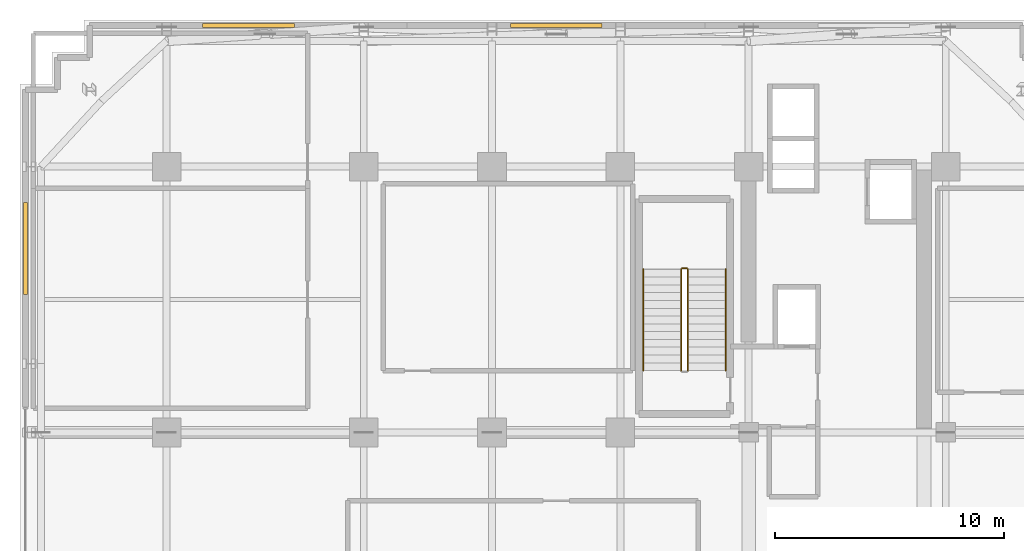
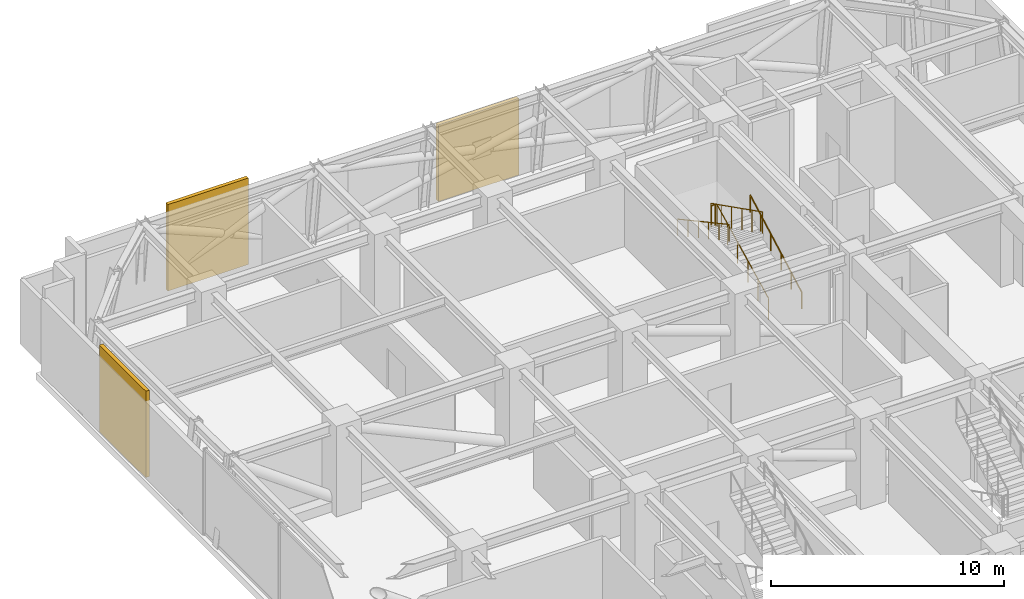
# One storey, part 14 of 15: 5 railings, 3 shading devices.
"""IFC4 building model written with IfcOpenShell, lengths in metres."""

import ifcopenshell
import ifcopenshell.guid

model = None  # the IFC model being written
_history = None  # IfcOwnerHistory: only IFC2X3 demands one
_inside = {}  # id of a spatial element -> (the spatial element, [elements in it])
_under = {}  # id of a project, library or spatial element -> (it, [spatial elements below it])
_declared = {}  # id of a project -> (the project, [libraries it declares])
_typed = {}  # id of a type object -> (the type object, [elements of that type])
_made_of = {}  # id of a material, layer set ... -> (it, [elements and type objects made of it])


def new_model(schema):
    """Start an empty IFC model of exactly this schema.

    Asked for "IFC4X3", IfcOpenShell would pick the latest addendum, in which some entities
    have other attributes; the version numbers below select the first issue.
    IFC2X3 requires an IfcOwnerHistory on every rooted entity: one is made here for all.
    """
    global model, _history
    if schema == "IFC4X3":
        model = ifcopenshell.file(schema_version=(4, 3, 0, 0))
    else:
        model = ifcopenshell.file(schema=schema)
    _inside.clear()
    _under.clear()
    _declared.clear()
    _typed.clear()
    _made_of.clear()
    _history = None
    if model.schema == "IFC2X3":
        org = make("IfcOrganization", Name="unknown")
        user = make(
            "IfcPersonAndOrganization",
            ThePerson=make("IfcPerson", FamilyName="unknown"),
            TheOrganization=org,
        )
        app = make(
            "IfcApplication",
            ApplicationDeveloper=org,
            Version="unknown",
            ApplicationFullName="unknown",
            ApplicationIdentifier="unknown",
        )
        _history = make(
            "IfcOwnerHistory",
            OwningUser=user,
            OwningApplication=app,
            ChangeAction="ADDED",
            CreationDate=0,
        )
    return model


def make(cls, **values):
    """One entity of the class cls with the attributes given. An attribute that is None is left unset."""
    return model.create_entity(
        cls, **{name: value for name, value in values.items() if value is not None}
    )


def rooted(cls, **values):
    """An entity with a GlobalId (a new one), such as an element, a storey or a relation."""
    return make(cls, GlobalId=ifcopenshell.guid.new(), OwnerHistory=_history, **values)


def si_unit(unit_type, name, prefix=None):
    """IfcSIUnit, for example si_unit("LENGTHUNIT", "METRE", prefix="MILLI")."""
    return make("IfcSIUnit", UnitType=unit_type, Prefix=prefix, Name=name)


def assignment(units):
    """IfcUnitAssignment: the units of a project."""
    return None if units is None else make("IfcUnitAssignment", Units=units)


def point(xyz):
    """IfcCartesianPoint."""
    return None if xyz is None else make("IfcCartesianPoint", Coordinates=xyz)


def direction(xyz):
    """IfcDirection."""
    return None if xyz is None else make("IfcDirection", DirectionRatios=xyz)


def frame(location, z_axis=None, x_axis=None):
    """IfcAxis2Placement3D, a coordinate frame: its origin and axes. An axis left out is left unset."""
    return make(
        "IfcAxis2Placement3D",
        Location=point(location),
        Axis=direction(z_axis),
        RefDirection=direction(x_axis),
    )


def frame_2d(location, x_axis=None):
    """IfcAxis2Placement2D, a coordinate frame in the plane: its origin and x axis."""
    return make(
        "IfcAxis2Placement2D", Location=point(location), RefDirection=direction(x_axis)
    )


def origin():
    """The frame at (0, 0, 0) with its axes left unset."""
    return frame((0.0, 0.0, 0.0))


def origin_2d():
    """The frame at (0, 0) in the plane with its x axis left unset."""
    return frame_2d((0.0, 0.0))


def place(relative_to, where):
    """IfcLocalPlacement: puts the frame where relative to a parent placement (None: the world)."""
    return make(
        "IfcLocalPlacement", PlacementRelTo=relative_to, RelativePlacement=where
    )


def context(
    kind, dimensions, precision=None, world=None, true_north=None, identifier=None
):
    """IfcGeometricRepresentationContext, for example the 3D "Model" context."""
    return make(
        "IfcGeometricRepresentationContext",
        ContextIdentifier=identifier,
        ContextType=kind,
        CoordinateSpaceDimension=dimensions,
        Precision=precision,
        WorldCoordinateSystem=world,
        TrueNorth=true_north,
    )


def subcontext(parent, identifier, kind, view, scale=None):
    """IfcGeometricRepresentationSubContext, for example "Body" below "Model"."""
    return make(
        "IfcGeometricRepresentationSubContext",
        ContextIdentifier=identifier,
        ContextType=kind,
        ParentContext=parent,
        TargetScale=scale,
        TargetView=view,
    )


def project(units=None, contexts=None):
    """IfcProject with its units and contexts."""
    return rooted(
        "IfcProject",
        Name="project",
        RepresentationContexts=contexts,
        UnitsInContext=assignment(units),
    )


def spatial(cls, under=None, at=None, **own):
    """A site, building, storey or space (cls), placed at a placement, below another one or the project."""
    s = rooted(cls, ObjectPlacement=at, **own)
    if under is not None:
        _under.setdefault(under.id(), (under, []))[1].append(s)
    return s


def profile(cls, at=None, kind="AREA", **sizes):
    """A parametric profile (cls). Its sizes go by their IFC names, for example OverallWidth=200.0."""
    return make(cls, ProfileType=kind, Position=at, **sizes)


def rectangle(**sizes):
    """IfcRectangleProfileDef."""
    return profile("IfcRectangleProfileDef", **sizes)


def circle(**sizes):
    """IfcCircleProfileDef."""
    return profile("IfcCircleProfileDef", **sizes)


def extrude(swept, where, along, depth):
    """IfcExtrudedAreaSolid: the profile swept, set in the frame where, extruded along a direction by depth."""
    return make(
        "IfcExtrudedAreaSolid",
        SweptArea=swept,
        Position=where,
        ExtrudedDirection=direction(along),
        Depth=depth,
    )


def shape(context_of_items, identifier, shape_type, items):
    """IfcShapeRepresentation: the items that make up one representation, for example the "Body"."""
    return make(
        "IfcShapeRepresentation",
        ContextOfItems=context_of_items,
        RepresentationIdentifier=identifier,
        RepresentationType=shape_type,
        Items=items,
    )


def source(mapping_origin, context_of_items, identifier, shape_type, items):
    """IfcRepresentationMap: a shape defined once, which mapped items show again and again."""
    return make(
        "IfcRepresentationMap",
        MappingOrigin=mapping_origin,
        MappedRepresentation=shape(context_of_items, identifier, shape_type, items),
    )


def transform(
    local_origin,
    x_axis=None,
    y_axis=None,
    z_axis=None,
    scale=None,
    scale2=None,
    scale3=None,
    uniform=True,
):
    """IfcCartesianTransformationOperator3D, or its non-uniform kind. x_axis, y_axis, z_axis: its Axis1, 2, 3."""
    if uniform:
        return make(
            "IfcCartesianTransformationOperator3D",
            Axis1=direction(x_axis),
            Axis2=direction(y_axis),
            LocalOrigin=point(local_origin),
            Scale=scale,
            Axis3=direction(z_axis),
        )
    return make(
        "IfcCartesianTransformationOperator3DnonUniform",
        Axis1=direction(x_axis),
        Axis2=direction(y_axis),
        LocalOrigin=point(local_origin),
        Scale=scale,
        Axis3=direction(z_axis),
        Scale2=scale2,
        Scale3=scale3,
    )


def mapped(mapping_source, mapping_target):
    """IfcMappedItem: shows the shape of a source again, moved by a transform."""
    return make(
        "IfcMappedItem", MappingSource=mapping_source, MappingTarget=mapping_target
    )


def material(Name=None, Category=None):
    """IfcMaterial."""
    return make("IfcMaterial", Name=Name, Category=Category)


def layer(
    of_material, thickness, ventilated=None, Name=None, Category=None, Priority=None
):
    """IfcMaterialLayer: one layer of a wall or slab, of a material (None: an air gap)."""
    return make(
        "IfcMaterialLayer",
        Material=of_material,
        LayerThickness=thickness,
        IsVentilated=ventilated,
        Name=Name,
        Category=Category,
        Priority=Priority,
    )


def layer_set(layers, Name=None):
    """IfcMaterialLayerSet."""
    return make("IfcMaterialLayerSet", MaterialLayers=layers, LayerSetName=Name)


def made_of(thing, what):
    """Note that an element or type object is made of a material, layer set ...; save() writes the relation."""
    if what is not None:
        _made_of.setdefault(what.id(), (what, []))[1].append(thing)
    return thing


def type_object(cls, material=None, **own):
    """A type object (cls), such as IfcWallType, which elements share."""
    return made_of(rooted(cls, **own), material)


def element(
    cls,
    number,
    at=None,
    inside=None,
    cuts=None,
    type_object=None,
    material=None,
    context=None,
    identifier="Body",
    shape_type=None,
    held_by="IfcProductDefinitionShape",
    body=None,
    shapes=None,
    **own,
):
    """One element of the class cls, such as IfcWall. Its Tag is "e" and its number.

    at: its placement. inside: the storey or other place that contains it. cuts: it is an
    opening in that element (IfcRelVoidsElement). A single representation is given by context,
    identifier, shape_type and body (its items); several are given by shapes. held_by: the class
    of the entity that holds the representations. save() writes the other relations.
    """
    e = rooted(cls, Tag="e%d" % number, ObjectPlacement=at, **own)
    if body is not None:
        shapes = [shape(context, identifier, shape_type, body)]
    if shapes is not None:
        e.Representation = make(held_by, Representations=shapes)
    if inside is not None:
        _inside.setdefault(inside.id(), (inside, []))[1].append(e)
    if cuts is not None:
        rooted(
            "IfcRelVoidsElement", RelatingBuildingElement=cuts, RelatedOpeningElement=e
        )
    if type_object is not None:
        _typed.setdefault(type_object.id(), (type_object, []))[1].append(e)
    return made_of(e, material)


def aggregate(whole, parts):
    """IfcRelAggregates: a whole, such as a stair, and the parts it consists of."""
    return rooted("IfcRelAggregates", RelatingObject=whole, RelatedObjects=parts)


def save(model, path):
    """Write the relations noted so far, then the file.

    IfcRelAggregates (storeys below a building ...), IfcRelContainedInSpatialStructure (elements
    in a storey), IfcRelDefinesByType, IfcRelAssociatesMaterial and IfcRelDeclares: one each for
    every whole, place, type object, material and project.
    """
    for whole, parts in _under.values():
        aggregate(whole, parts)
    for where, things in _inside.values():
        rooted(
            "IfcRelContainedInSpatialStructure",
            RelatedElements=things,
            RelatingStructure=where,
        )
    for kind, things in _typed.values():
        rooted("IfcRelDefinesByType", RelatedObjects=things, RelatingType=kind)
    for what, things in _made_of.values():
        rooted("IfcRelAssociatesMaterial", RelatedObjects=things, RelatingMaterial=what)
    for by, libraries in _declared.values():
        rooted("IfcRelDeclares", RelatingContext=by, RelatedDefinitions=libraries)
    model.write(path)


model = new_model("IFC4")

# Units and contexts
model_context = context("Model", 3, precision=1e-05, world=origin(), true_north=direction((0.0, 1.0)))
body_context = subcontext(model_context, "Body", "Model", "MODEL_VIEW")
ifc_project = project(units=[si_unit("LENGTHUNIT", "METRE"), si_unit("AREAUNIT", "SQUARE_METRE"), si_unit("VOLUMEUNIT", "CUBIC_METRE"), si_unit("PLANEANGLEUNIT", "RADIAN"), si_unit("MASSUNIT", "GRAM", prefix="KILO")], contexts=[model_context])

# Site, building, storey
site_placement = place(None, origin())
site = spatial("IfcSite", under=ifc_project, at=site_placement, CompositionType="ELEMENT")
building_placement = place(site_placement, origin())
building = spatial("IfcBuilding", under=site, at=building_placement, Name="Nahalor Promenade Grand Hotel", CompositionType="ELEMENT")
storey_placement = place(building_placement, frame((0.0, 0.0, 144.199951171875)))
storey = spatial("IfcBuildingStorey", under=building, at=storey_placement, Name="L36", CompositionType="ELEMENT", Elevation=144.199951171875)

# Railings
ifc_material_1 = material(Name="Steel S355JR", Category="steel")
railing_type_1 = type_object("IfcRailingType", Name="Steel Stair Guardrail 1150 mm", PredefinedType="GUARDRAIL", material=ifc_material_1)
railing_1_placement = place(storey_placement, frame((5.75, 8.10009765625, 0.17138671875)))
element("IfcRailing", 1, at=railing_1_placement, inside=storey, type_object=railing_type_1, Name="L36 ST1 stair guard 1", PredefinedType="GUARDRAIL", context=body_context, shape_type="SweptSolid", body=[
    extrude(circle(Radius=0.024048, at=origin_2d()), frame((0.0, 0.0, 1.1259765625), z_axis=(0.0, 0.892902951771, 0.450249174034), x_axis=(-1.0, 0.0, 0.0)), (0.0, 0.0, 1.0), 4.949951171875),
    extrude(circle(Radius=0.020996, at=origin_2d()), origin(), (0.0, 0.0, 1.0), 1.099853515625),
    extrude(circle(Radius=0.020996, at=origin_2d()), frame((0.0, 0.884033203125, 0.44580078125)), (0.0, 0.0, 1.0), 1.099853515625),
    extrude(circle(Radius=0.020996, at=origin_2d()), frame((0.0, 1.76806640625, 0.8916015625)), (0.0, 0.0, 1.0), 1.099853515625),
    extrude(circle(Radius=0.020996, at=origin_2d()), frame((0.0, 2.65185546875, 1.337158203125)), (0.0, 0.0, 1.0), 1.099853515625),
    extrude(circle(Radius=0.020996, at=origin_2d()), frame((0.0, 3.535888671875, 1.782958984375)), (0.0, 0.0, 1.0), 1.099853515625),
    extrude(circle(Radius=0.020996, at=origin_2d()), frame((0.0, 4.419921875, 2.228759765625)), (0.0, 0.0, 1.0), 1.099853515625),
])
railing_2_placement = place(storey_placement, frame((5.699951171875, 12.570068359375, 2.400146484375)))
element("IfcRailing", 2, at=railing_2_placement, inside=storey, type_object=railing_type_1, Name="L36 ST1 stair guard 2", PredefinedType="GUARDRAIL", context=body_context, shape_type="SweptSolid", body=[
    extrude(circle(Radius=0.024048, at=origin_2d()), frame((0.0, 0.0, 1.1259765625), z_axis=(-1.0, 0.0, 0.0), x_axis=(0.0, -1.0, 0.0)), (0.0, 0.0, 1.0), 0.199951171875),
    extrude(circle(Radius=0.020996, at=origin_2d()), origin(), (0.0, 0.0, 1.0), 1.099853515625),
    extrude(circle(Radius=0.020996, at=origin_2d()), frame((-0.199951171875, 0.0, 0.0)), (0.0, 0.0, 1.0), 1.099853515625),
])
railing_3_placement = place(storey_placement, frame((5.449951171875, 12.52001953125, 2.571533203125)))
element("IfcRailing", 3, at=railing_3_placement, inside=storey, type_object=railing_type_1, Name="L36 ST1 stair guard 3", PredefinedType="GUARDRAIL", context=body_context, shape_type="SweptSolid", body=[
    extrude(circle(Radius=0.024048, at=origin_2d()), frame((0.0, 0.0, 1.1259765625), z_axis=(0.0, -0.89292277971, 0.450209850486), x_axis=(1.0, 0.0, 0.0)), (0.0, 0.0, 1.0), 4.949951171875),
    extrude(circle(Radius=0.020996, at=origin_2d()), origin(), (0.0, 0.0, 1.0), 1.099853515625),
    extrude(circle(Radius=0.020996, at=origin_2d()), frame((0.0, -0.884033203125, 0.44580078125)), (0.0, 0.0, 1.0), 1.099853515625),
    extrude(circle(Radius=0.020996, at=origin_2d()), frame((0.0, -1.76806640625, 0.891357421875)), (0.0, 0.0, 1.0), 1.099853515625),
    extrude(circle(Radius=0.020996, at=origin_2d()), frame((0.0, -2.65185546875, 1.337158203125)), (0.0, 0.0, 1.0), 1.099853515625),
    extrude(circle(Radius=0.020996, at=origin_2d()), frame((0.0, -3.535888671875, 1.78271484375)), (0.0, 0.0, 1.0), 1.099853515625),
    extrude(circle(Radius=0.020996, at=origin_2d()), frame((0.0, -4.419921875, 2.228515625)), (0.0, 0.0, 1.0), 1.099853515625),
])
railing_type_2 = type_object("IfcRailingType", Name="Steel Stair Handrail 900 mm", PredefinedType="HANDRAIL", material=ifc_material_1)
railing_4_placement = place(storey_placement, frame((7.39990234375, 8.10009765625, 0.17138671875)))
element("IfcRailing", 4, at=railing_4_placement, inside=storey, type_object=railing_type_2, Name="L36 ST1 stair handrail 1", PredefinedType="HANDRAIL", context=body_context, shape_type="SweptSolid", body=[
    extrude(circle(Radius=0.024048, at=origin_2d()), frame((0.0, 0.0, 0.8759765625), z_axis=(0.0, 0.878790038763, 0.477208620806), x_axis=(-1.0, 0.0, 0.0)), (0.0, 0.0, 1.0), 5.029541015625),
    extrude(circle(Radius=0.020996, at=origin_2d()), origin(), (0.0, 0.0, 1.0), 0.849853515625),
    extrude(circle(Radius=0.020996, at=origin_2d()), frame((0.0, 0.884033203125, 0.47998046875)), (0.0, 0.0, 1.0), 0.849853515625),
    extrude(circle(Radius=0.020996, at=origin_2d()), frame((0.0, 1.76806640625, 0.9599609375)), (0.0, 0.0, 1.0), 0.849853515625),
    extrude(circle(Radius=0.020996, at=origin_2d()), frame((0.0, 2.65185546875, 1.440185546875)), (0.0, 0.0, 1.0), 0.849853515625),
    extrude(circle(Radius=0.020996, at=origin_2d()), frame((0.0, 3.535888671875, 1.920166015625)), (0.0, 0.0, 1.0), 0.849853515625),
    extrude(circle(Radius=0.020996, at=origin_2d()), frame((0.0, 4.419921875, 2.400146484375)), (0.0, 0.0, 1.0), 0.849853515625),
])
railing_5_placement = place(storey_placement, frame((3.800048828125, 12.52001953125, 2.571533203125)))
element("IfcRailing", 5, at=railing_5_placement, inside=storey, type_object=railing_type_2, Name="L36 ST1 stair handrail 2", PredefinedType="HANDRAIL", context=body_context, shape_type="SweptSolid", body=[
    extrude(circle(Radius=0.024048, at=origin_2d()), frame((0.0, 0.0, 0.8759765625), z_axis=(0.0, -0.878810394976, 0.477171132491), x_axis=(1.0, 0.0, 0.0)), (0.0, 0.0, 1.0), 5.029541015625),
    extrude(circle(Radius=0.020996, at=origin_2d()), origin(), (0.0, 0.0, 1.0), 0.849853515625),
    extrude(circle(Radius=0.020996, at=origin_2d()), frame((0.0, -0.884033203125, 0.47998046875)), (0.0, 0.0, 1.0), 0.849853515625),
    extrude(circle(Radius=0.020996, at=origin_2d()), frame((0.0, -1.76806640625, 0.9599609375)), (0.0, 0.0, 1.0), 0.849853515625),
    extrude(circle(Radius=0.020996, at=origin_2d()), frame((0.0, -2.65185546875, 1.43994140625)), (0.0, 0.0, 1.0), 0.849853515625),
    extrude(circle(Radius=0.020996, at=origin_2d()), frame((0.0, -3.535888671875, 1.919921875)), (0.0, 0.0, 1.0), 0.849853515625),
    extrude(circle(Radius=0.020996, at=origin_2d()), frame((0.0, -4.419921875, 2.39990234375)), (0.0, 0.0, 1.0), 0.849853515625),
])

# Shading devices
ifc_material_2 = material(Name="Anodised Bronze Aluminium EN AW-6063 T6", Category="aluminium")
ifc_layer = layer(ifc_material_2, 0.179931640625)
ifc_layer_set = layer_set([ifc_layer], Name="Anodised Bronze Aluminium EN AW-6063 T6")
shading_device_type = type_object("IfcShadingDeviceType", Name="Shade-PlantLouvre-Bronze", PredefinedType="USERDEFINED", material=ifc_layer_set)
shared_shape_1 = source(origin(), body_context, "Body", "SweptSolid", [
    extrude(rectangle(XDim=4.0, YDim=0.179931640625, at=origin_2d()), origin(), (0.0, 0.0, 1.0), 4.5400390625),
])
for number, where, z_axis, x_axis, name in (
    (6, (-13.429931640625, 23.159912109375, 0.0), (0.0, 0.0, 1.0), (1.0, 0.0, 0.0), "LV-L36-NL"),
    (7, (-23.159912109375, 13.429931640625, 0.0), (0.0, 0.0, 1.0), (0.0, 1.0, 0.0), "LV-L36-WR"),
):
    element("IfcShadingDevice", number, at=place(storey_placement, frame(where, z_axis=z_axis, x_axis=x_axis)), inside=storey, type_object=shading_device_type, Name=name, ObjectType="LOUVRE", PredefinedType="USERDEFINED", context=body_context, shape_type="MappedRepresentation", body=[
        mapped(shared_shape_1, transform((0.0, 0.0, 0.0), scale=1.0)),
    ])
shared_shape_2 = source(origin(), body_context, "Body", "SweptSolid", [
    extrude(rectangle(XDim=4.0, YDim=0.179931640625, at=origin_2d()), origin(), (0.0, 0.0, 1.0), 4.02001953125),
])
shading_device_placement = place(storey_placement, frame((0.0, 23.159912109375, 0.0), z_axis=(0.0, 0.0, 1.0), x_axis=(1.0, 0.0, 0.0)))
element("IfcShadingDevice", 8, at=shading_device_placement, inside=storey, type_object=shading_device_type, Name="LV-L36-NM", ObjectType="LOUVRE", PredefinedType="USERDEFINED", context=body_context, shape_type="MappedRepresentation", body=[
    mapped(shared_shape_2, transform((0.0, 0.0, 0.0), scale=1.0)),
])

save(model, "model.ifc")
